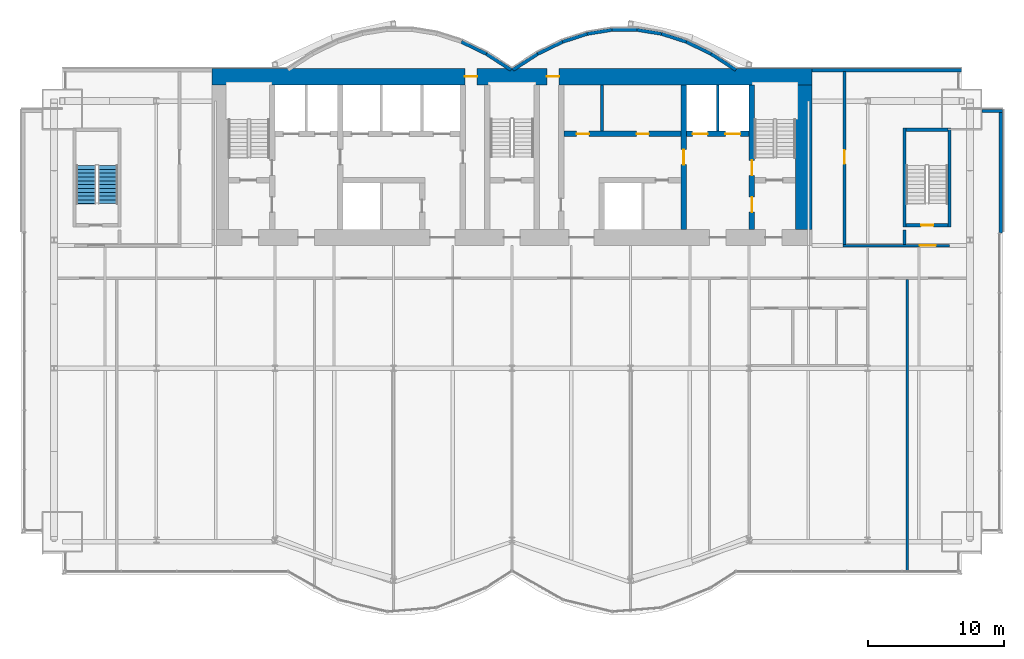
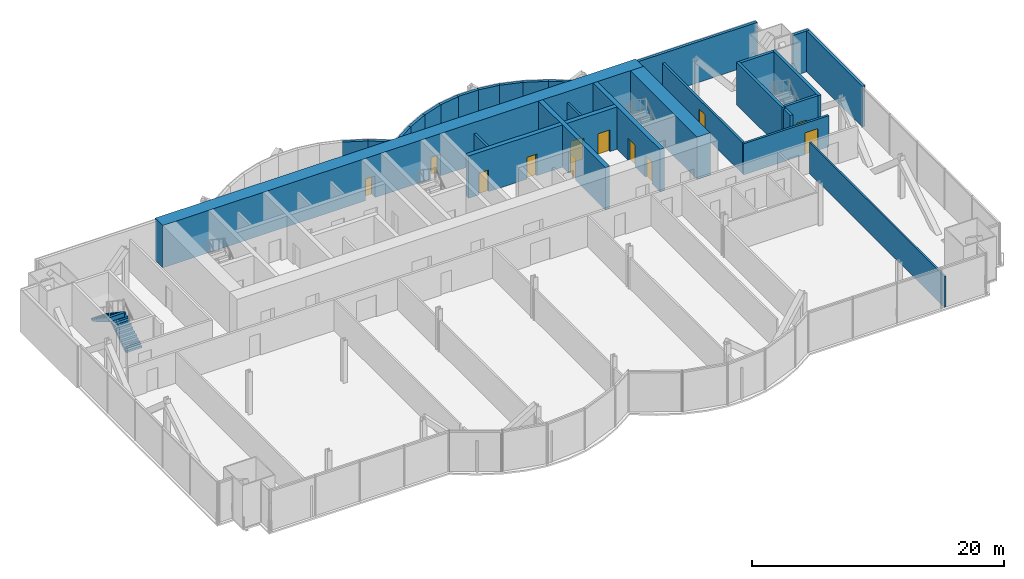
# One storey, part 17 of 21: 29 walls, 12 doors, 2 stair flights, 12 openings, 1 element without a shape of its own.
"""IFC4 building model written with IfcOpenShell, lengths in metres."""

from ifc_helpers import new_model, si_unit, direction, frame, frame_2d, origin, place, context, subcontext, project, spatial, polyline, rectangle, outline, extrude, material, layer, layer_set, layer_usage, type_object, element, fill, aggregate, save


model = new_model("IFC4")

# Units and contexts
model_context = context("Model", 3, precision=1e-05, world=origin(), true_north=direction((0.0, 1.0)))
body_context = subcontext(model_context, "Body", "Model", "MODEL_VIEW")
ifc_project = project(units=[si_unit("LENGTHUNIT", "METRE"), si_unit("AREAUNIT", "SQUARE_METRE"), si_unit("VOLUMEUNIT", "CUBIC_METRE"), si_unit("PLANEANGLEUNIT", "RADIAN"), si_unit("MASSUNIT", "GRAM", prefix="KILO")], contexts=[model_context])

# Site, building, storey
site_placement = place(None, origin())
site = spatial("IfcSite", under=ifc_project, at=site_placement, CompositionType="ELEMENT")
building_placement = place(site_placement, origin())
building = spatial("IfcBuilding", under=site, at=building_placement, Name="Bicima Exchange Tower", CompositionType="ELEMENT")
storey_placement = place(building_placement, frame((0.0, 0.0, 122.699951171875)))
storey = spatial("IfcBuildingStorey", under=building, at=storey_placement, Name="L26", CompositionType="ELEMENT", Elevation=122.699951171875)

# Wall
ifc_material_1 = material(Name="Gypsum board partition")
ifc_layer_1 = layer(ifc_material_1, 0.199951171875)
ifc_layer_set_1 = layer_set([ifc_layer_1], Name="Gypsum board partition")
wall_type_1 = type_object("IfcWallType", Name="Fire-rated gypsum partition 200 EI120", PredefinedType="PARTITIONING", material=ifc_layer_set_1)
wall_1_placement = place(storey_placement, frame((15.10009765625, -4.60009765625, 0.0), z_axis=(0.0, 0.0, 1.0), x_axis=(0.0, 1.0, 0.0)))
element("IfcWall", 1, at=wall_1_placement, inside=storey, type_object=wall_type_1, Name="partition wall 23", PredefinedType="PARTITIONING", context=body_context, shape_type="SweptSolid", body=[
    extrude(rectangle(XDim=3.400146484375, YDim=0.199951171875, at=frame_2d((1.7001953125, 0.0))), origin(), (0.0, 0.0, 1.0), 3.018310546875),
])

# Wall, opening, door
ifc_layer_2 = layer(ifc_material_1, 0.199951171875)
ifc_layer_set_2 = layer_set([ifc_layer_2], Name="Gypsum board partition")
wall_type_2 = type_object("IfcWallType", Name="Fire-rated gypsum partition 200 EI60", PredefinedType="PARTITIONING", material=ifc_layer_set_2)
wall_2_placement = place(storey_placement, frame((24.300048828125, -13.0, 0.0), z_axis=(0.0, 0.0, 1.0), x_axis=(1.0, 0.0, 0.0)))
wall_2 = element("IfcWall", 2, at=wall_2_placement, inside=storey, type_object=wall_type_2, Name="partition wall 5", PredefinedType="PARTITIONING", context=body_context, shape_type="SweptSolid", body=[
    extrude(rectangle(XDim=7.800048828125, YDim=0.199951171875, at=frame_2d((3.89990234375, 0.0))), origin(), (0.0, 0.0, 1.0), 3.018310546875),
])
opening_1_placement = place(wall_2_placement, frame((5.60009765625, 0.0, 0.0)))
opening_1 = element("IfcOpeningElement", 3, at=opening_1_placement, cuts=wall_2, Name="Opening L26-003", PredefinedType="OPENING", context=body_context, shape_type="SweptSolid", body=[
    extrude(rectangle(XDim=1.199951171875, YDim=2.10009765625, at=frame_2d((0.60009765625, 1.050048828125))), frame((0.0, 0.11181640625, 0.0), z_axis=(0.0, -1.0, 0.0), x_axis=(1.0, 0.0, 0.0)), (0.0, 0.0, 1.0), 0.223876953125),
])
ifc_material_2 = material(Name="Steel fire door leaf", Category="steel")
door_type_1 = type_object("IfcDoorType", Name="Door 1200 swing FD30S", OperationType="SINGLE_SWING_LEFT", PredefinedType="DOOR", material=ifc_material_2)
door_1_placement = place(opening_1_placement, origin())
door_1 = element("IfcDoor", 4, at=door_1_placement, inside=storey, type_object=door_type_1, Name="Door", OperationType="SINGLE_SWING_RIGHT", OverallHeight=2.10009765625, OverallWidth=1.199951171875, PredefinedType="DOOR", context=body_context, shape_type="SweptSolid", body=[
    extrude(rectangle(XDim=1.199951171875, YDim=2.10009765625, at=frame_2d((0.60009765625, 1.050048828125))), frame((0.0, 0.02490234375, 0.0), z_axis=(0.0, -1.0, 0.0), x_axis=(1.0, 0.0, 0.0)), (0.0, 0.0, 1.0), 0.050048828125),
])
fill(opening_1, door_1)

wall_3_placement = place(storey_placement, frame((24.39990234375, -12.89990234375, 0.0), z_axis=(0.0, 0.0, 1.0), x_axis=(0.0, 1.0, 0.0)))
wall_3 = element("IfcWall", 5, at=wall_3_placement, inside=storey, type_object=wall_type_2, Name="partition wall 27", PredefinedType="PARTITIONING", context=body_context, shape_type="SweptSolid", body=[
    extrude(rectangle(XDim=12.68994140625, YDim=0.199951171875, at=frame_2d((6.344970703125, 0.0))), origin(), (0.0, 0.0, 1.0), 3.018310546875),
])
opening_2_placement = place(wall_3_placement, frame((5.89990234375, 0.0, 0.0)))
opening_2 = element("IfcOpeningElement", 6, at=opening_2_placement, cuts=wall_3, Name="Opening L26-006", PredefinedType="OPENING", context=body_context, shape_type="SweptSolid", body=[
    extrude(rectangle(XDim=1.0, YDim=2.10009765625, at=frame_2d((0.5, 1.050048828125))), frame((0.0, 0.11181640625, 0.0), z_axis=(0.0, -1.0, 0.0), x_axis=(1.0, 0.0, 0.0)), (0.0, 0.0, 1.0), 0.223876953125),
])
door_type_2 = type_object("IfcDoorType", Name="Door 1000 swing FD30S", OperationType="SINGLE_SWING_LEFT", PredefinedType="DOOR", material=ifc_material_2)
door_2_placement = place(opening_2_placement, frame((1.0, 0.0, 0.0), z_axis=(0.0, 0.0, 1.0), x_axis=(-1.0, 0.0, 0.0)))
door_2 = element("IfcDoor", 7, at=door_2_placement, inside=storey, type_object=door_type_2, Name="Door", OperationType="SINGLE_SWING_RIGHT", OverallHeight=2.10009765625, OverallWidth=1.0, PredefinedType="DOOR", context=body_context, shape_type="SweptSolid", body=[
    extrude(rectangle(XDim=1.0, YDim=2.10009765625, at=frame_2d((0.5, 1.050048828125))), frame((0.0, 0.02490234375, 0.0), z_axis=(0.0, -1.0, 0.0), x_axis=(1.0, 0.0, 0.0)), (0.0, 0.0, 1.0), 0.050048828125),
])
fill(opening_2, door_2)

# Walls
wall_4_placement = place(storey_placement, frame((6.60009765625, -4.60009765625, 0.0), z_axis=(0.0, 0.0, 1.0), x_axis=(0.0, 1.0, 0.0)))
element("IfcWall", 8, at=wall_4_placement, inside=storey, type_object=wall_type_2, Name="partition wall 20", PredefinedType="PARTITIONING", context=body_context, shape_type="SweptSolid", body=[
    extrude(rectangle(XDim=3.400146484375, YDim=0.199951171875, at=frame_2d((1.7001953125, 0.0))), origin(), (0.0, 0.0, 1.0), 3.018310546875),
])
ifc_layer_3 = layer(ifc_material_1, 0.14990234375)
ifc_layer_set_3 = layer_set([ifc_layer_3], Name="Gypsum board partition")
wall_type_3 = type_object("IfcWallType", Name="Gypsum partition 150", PredefinedType="PARTITIONING", material=ifc_layer_set_3)
wall_5_placement = place(storey_placement, frame((29.0, -36.909912109375, 0.0), z_axis=(0.0, 0.0, 1.0), x_axis=(0.0, 1.0, 0.0)))
element("IfcWall", 9, at=wall_5_placement, inside=storey, type_object=wall_type_3, Name="partition wall 30", PredefinedType="PARTITIONING", context=body_context, shape_type="SweptSolid", body=[
    extrude(rectangle(XDim=21.409912109375, YDim=0.14990234375, at=frame_2d((10.705078125, 0.0))), origin(), (0.0, 0.0, 1.0), 3.018310546875),
])

# Wall, openings, doors
ifc_material_3 = material(Name="Concrete C60/75", Category="concrete")
ifc_layer_4 = layer(ifc_material_3, 1.199951171875)
ifc_layer_set_4 = layer_set([ifc_layer_4], Name="Concrete C60/75")
wall_type_4 = type_object("IfcWallType", Name="RC core wall 1200 C60/75", PredefinedType="SHEAR", material=ifc_layer_set_4)
wall_6_placement = place(storey_placement, frame((-22.0, -0.60009765625, 0.0), z_axis=(0.0, 0.0, 1.0), x_axis=(1.0, 0.0, 0.0)))
wall_6 = element("IfcWall", 10, at=wall_6_placement, inside=storey, type_object=wall_type_4, Name="Core wall north", PredefinedType="SHEAR", context=body_context, shape_type="SweptSolid", body=[
    extrude(rectangle(XDim=44.0, YDim=1.199951171875, at=frame_2d((22.0, 0.0))), origin(), (0.0, 0.0, 1.0), 4.10009765625),
])
opening_3_placement = place(wall_6_placement, frame((18.550048828125, 0.0, 0.0)))
opening_3 = element("IfcOpeningElement", 11, at=opening_3_placement, cuts=wall_6, Name="Opening L26-C16", PredefinedType="OPENING", context=body_context, shape_type="SweptSolid", body=[
    extrude(rectangle(XDim=0.89990234375, YDim=2.10009765625, at=frame_2d((0.449951171875, 1.050048828125))), frame((0.0, 0.61181640625, 0.0), z_axis=(0.0, -1.0, 0.0), x_axis=(1.0, 0.0, 0.0)), (0.0, 0.0, 1.0), 1.223876953125),
])
opening_4_placement = place(wall_6_placement, frame((24.550048828125, 0.0, 0.0)))
opening_4 = element("IfcOpeningElement", 12, at=opening_4_placement, cuts=wall_6, Name="Opening L26-C17", PredefinedType="OPENING", context=body_context, shape_type="SweptSolid", body=[
    extrude(rectangle(XDim=0.89990234375, YDim=2.10009765625, at=frame_2d((0.449951171875, 1.050048828125))), frame((0.0, 0.61181640625, 0.0), z_axis=(0.0, -1.0, 0.0), x_axis=(1.0, 0.0, 0.0)), (0.0, 0.0, 1.0), 1.223876953125),
])
door_type_3 = type_object("IfcDoorType", Name="Door 900 swing FD30S", OperationType="SINGLE_SWING_LEFT", PredefinedType="DOOR", material=ifc_material_2)
door_3_placement = place(opening_3_placement, origin())
door_3 = element("IfcDoor", 13, at=door_3_placement, inside=storey, type_object=door_type_3, Name="Core door", OperationType="SINGLE_SWING_LEFT", OverallHeight=2.10009765625, OverallWidth=0.89990234375, PredefinedType="DOOR", context=body_context, shape_type="SweptSolid", body=[
    extrude(rectangle(XDim=0.89990234375, YDim=2.10009765625, at=frame_2d((0.449951171875, 1.050048828125))), frame((0.0, 0.02490234375, 0.0), z_axis=(0.0, -1.0, 0.0), x_axis=(1.0, 0.0, 0.0)), (0.0, 0.0, 1.0), 0.050048828125),
])
fill(opening_3, door_3)
door_4_placement = place(opening_4_placement, origin())
door_4 = element("IfcDoor", 14, at=door_4_placement, inside=storey, type_object=door_type_3, Name="Core door", OperationType="SINGLE_SWING_LEFT", OverallHeight=2.10009765625, OverallWidth=0.89990234375, PredefinedType="DOOR", context=body_context, shape_type="SweptSolid", body=[
    extrude(rectangle(XDim=0.89990234375, YDim=2.10009765625, at=frame_2d((0.449951171875, 1.050048828125))), frame((0.0, 0.02490234375, 0.0), z_axis=(0.0, -1.0, 0.0), x_axis=(1.0, 0.0, 0.0)), (0.0, 0.0, 1.0), 0.050048828125),
])
fill(opening_4, door_4)

# Walls
wall_7_placement = place(storey_placement, frame((21.39990234375, -11.800048828125, 0.0), z_axis=(0.0, 0.0, 1.0), x_axis=(0.0, 1.0, 0.0)))
element("IfcWall", 15, at=wall_7_placement, inside=storey, type_object=wall_type_4, Name="Core wall east", PredefinedType="SHEAR", context=body_context, shape_type="SweptSolid", body=[
    extrude(rectangle(XDim=10.60009765625, YDim=1.199951171875, at=frame_2d((5.300048828125, 0.0))), origin(), (0.0, 0.0, 1.0), 4.10009765625),
])
ifc_material_4 = material(Name="Concrete C50/60", Category="concrete")
ifc_layer_5 = layer(ifc_material_4, 0.25)
ifc_layer_set_5 = layer_set([ifc_layer_5], Name="Concrete C50/60")
wall_type_5 = type_object("IfcWallType", Name="RC core wall 250 C50/60", PredefinedType="SHEAR", material=ifc_layer_set_5)
wall_8_placement = place(storey_placement, frame((28.800048828125, -12.89990234375, 0.0), z_axis=(0.0, 0.0, 1.0), x_axis=(0.0, 1.0, 0.0)))
element("IfcWall", 16, at=wall_8_placement, inside=storey, type_object=wall_type_5, Name="stair wall 29", PredefinedType="SHEAR", context=body_context, shape_type="SweptSolid", body=[
    extrude(rectangle(XDim=1.0498046875, YDim=0.25, at=frame_2d((0.52490234375, 0.0))), origin(), (0.0, 0.0, 1.0), 4.10009765625),
])

# Wall, openings, doors
ifc_layer_6 = layer(ifc_material_4, 0.39990234375)
ifc_layer_set_6 = layer_set([ifc_layer_6], Name="Concrete C50/60")
wall_type_6 = type_object("IfcWallType", Name="RC core wall 400 C50/60", PredefinedType="SHEAR", material=ifc_layer_set_6)
wall_9_placement = place(storey_placement, frame((17.60009765625, -11.800048828125, 0.0), z_axis=(0.0, 0.0, 1.0), x_axis=(0.0, 1.0, 0.0)))
wall_9 = element("IfcWall", 17, at=wall_9_placement, inside=storey, type_object=wall_type_6, Name="stair wall 24", PredefinedType="SHEAR", context=body_context, shape_type="SweptSolid", body=[
    extrude(rectangle(XDim=10.60009765625, YDim=0.39990234375, at=frame_2d((5.300048828125, 0.0))), origin(), (0.0, 0.0, 1.0), 4.10009765625),
])
opening_5_placement = place(wall_9_placement, frame((1.25, 0.0, 0.0)))
opening_5 = element("IfcOpeningElement", 18, at=opening_5_placement, cuts=wall_9, Name="Opening L26-C05", PredefinedType="OPENING", context=body_context, shape_type="SweptSolid", body=[
    extrude(rectangle(XDim=1.10009765625, YDim=2.10009765625, at=frame_2d((0.550048828125, 1.050048828125))), frame((0.0, 0.2119140625, 0.0), z_axis=(0.0, -1.0, 0.0), x_axis=(1.0, 0.0, 0.0)), (0.0, 0.0, 1.0), 0.423828125),
])
opening_6_placement = place(wall_9_placement, frame((3.949951171875, 0.0, 0.0)))
opening_6 = element("IfcOpeningElement", 19, at=opening_6_placement, cuts=wall_9, Name="Opening L26-C08", PredefinedType="OPENING", context=body_context, shape_type="SweptSolid", body=[
    extrude(rectangle(XDim=1.10009765625, YDim=2.10009765625, at=frame_2d((0.550048828125, 1.050048828125))), frame((0.0, 0.2119140625, 0.0), z_axis=(0.0, -1.0, 0.0), x_axis=(1.0, 0.0, 0.0)), (0.0, 0.0, 1.0), 0.423828125),
])
door_type_4 = type_object("IfcDoorType", Name="Door 1100 swing FD60S", OperationType="SINGLE_SWING_LEFT", PredefinedType="DOOR", material=ifc_material_2)
door_5_placement = place(opening_5_placement, origin())
door_5 = element("IfcDoor", 20, at=door_5_placement, inside=storey, type_object=door_type_4, Name="Core door", OperationType="SINGLE_SWING_LEFT", OverallHeight=2.10009765625, OverallWidth=1.10009765625, PredefinedType="DOOR", context=body_context, shape_type="SweptSolid", body=[
    extrude(rectangle(XDim=1.10009765625, YDim=2.10009765625, at=frame_2d((0.550048828125, 1.050048828125))), frame((0.0, 0.02490234375, 0.0), z_axis=(0.0, -1.0, 0.0), x_axis=(1.0, 0.0, 0.0)), (0.0, 0.0, 1.0), 0.050048828125),
])
fill(opening_5, door_5)
door_6_placement = place(opening_6_placement, origin())
door_6 = element("IfcDoor", 21, at=door_6_placement, inside=storey, type_object=door_type_4, Name="Core door", OperationType="SINGLE_SWING_RIGHT", OverallHeight=2.10009765625, OverallWidth=1.10009765625, PredefinedType="DOOR", context=body_context, shape_type="SweptSolid", body=[
    extrude(rectangle(XDim=1.10009765625, YDim=2.10009765625, at=frame_2d((0.550048828125, 1.050048828125))), frame((0.0, 0.02490234375, 0.0), z_axis=(0.0, -1.0, 0.0), x_axis=(1.0, 0.0, 0.0)), (0.0, 0.0, 1.0), 0.050048828125),
])
fill(opening_6, door_6)

ifc_layer_7 = layer(ifc_material_3, 0.39990234375)
ifc_layer_set_7 = layer_set([ifc_layer_7], Name="Concrete C60/75")
wall_type_7 = type_object("IfcWallType", Name="RC core wall 400 C60/75", PredefinedType="SHEAR", material=ifc_layer_set_7)
wall_10_placement = place(storey_placement, frame((3.800048828125, -4.800048828125, 0.0), z_axis=(0.0, 0.0, 1.0), x_axis=(1.0, 0.0, 0.0)))
wall_10 = element("IfcWall", 22, at=wall_10_placement, inside=storey, type_object=wall_type_7, Name="shear wall 7", PredefinedType="SHEAR", context=body_context, shape_type="SweptSolid", body=[
    extrude(rectangle(XDim=13.599853515625, YDim=0.39990234375, at=frame_2d((6.7998046875, 0.0))), origin(), (0.0, 0.0, 1.0), 4.10009765625),
])
opening_7_placement = place(wall_10_placement, frame((9.449951171875, 0.0, 0.0)))
opening_7 = element("IfcOpeningElement", 23, at=opening_7_placement, cuts=wall_10, Name="Opening LD-FF2-L26", PredefinedType="OPENING", context=body_context, shape_type="SweptSolid", body=[
    extrude(rectangle(XDim=1.10009765625, YDim=2.10009765625, at=frame_2d((0.550048828125, 1.050048828125))), frame((0.0, 0.2119140625, 0.0), z_axis=(0.0, -1.0, 0.0), x_axis=(1.0, 0.0, 0.0)), (0.0, 0.0, 1.0), 0.423828125),
])
opening_8_placement = place(wall_10_placement, frame((11.85009765625, 0.0, 0.0)))
opening_8 = element("IfcOpeningElement", 24, at=opening_8_placement, cuts=wall_10, Name="Opening LD-SV1-L26", PredefinedType="OPENING", context=body_context, shape_type="SweptSolid", body=[
    extrude(rectangle(XDim=1.10009765625, YDim=2.10009765625, at=frame_2d((0.550048828125, 1.050048828125))), frame((0.0, 0.2119140625, 0.0), z_axis=(0.0, -1.0, 0.0), x_axis=(1.0, 0.0, 0.0)), (0.0, 0.0, 1.0), 0.423828125),
])
opening_9_placement = place(wall_10_placement, frame((0.949951171875, 0.0, 0.0)))
opening_9 = element("IfcOpeningElement", 25, at=opening_9_placement, cuts=wall_10, Name="Opening L26-C12", PredefinedType="OPENING", context=body_context, shape_type="SweptSolid", body=[
    extrude(rectangle(XDim=0.89990234375, YDim=2.10009765625, at=frame_2d((0.449951171875, 1.050048828125))), frame((0.0, 0.2119140625, 0.0), z_axis=(0.0, -1.0, 0.0), x_axis=(1.0, 0.0, 0.0)), (0.0, 0.0, 1.0), 0.423828125),
])
opening_10_placement = place(wall_10_placement, frame((5.35009765625, 0.0, 0.0)))
opening_10 = element("IfcOpeningElement", 26, at=opening_10_placement, cuts=wall_10, Name="Opening L26-C13", PredefinedType="OPENING", context=body_context, shape_type="SweptSolid", body=[
    extrude(rectangle(XDim=0.89990234375, YDim=2.10009765625, at=frame_2d((0.449951171875, 1.050048828125))), frame((0.0, 0.2119140625, 0.0), z_axis=(0.0, -1.0, 0.0), x_axis=(1.0, 0.0, 0.0)), (0.0, 0.0, 1.0), 0.423828125),
])
door_7_placement = place(opening_9_placement, origin())
door_7 = element("IfcDoor", 27, at=door_7_placement, inside=storey, type_object=door_type_3, Name="Core door", OperationType="SINGLE_SWING_RIGHT", OverallHeight=2.10009765625, OverallWidth=0.89990234375, PredefinedType="DOOR", context=body_context, shape_type="SweptSolid", body=[
    extrude(rectangle(XDim=0.89990234375, YDim=2.10009765625, at=frame_2d((0.449951171875, 1.050048828125))), frame((0.0, 0.02490234375, 0.0), z_axis=(0.0, -1.0, 0.0), x_axis=(1.0, 0.0, 0.0)), (0.0, 0.0, 1.0), 0.050048828125),
])
fill(opening_9, door_7)
door_8_placement = place(opening_10_placement, origin())
door_8 = element("IfcDoor", 28, at=door_8_placement, inside=storey, type_object=door_type_3, Name="Core door", OperationType="SINGLE_SWING_LEFT", OverallHeight=2.10009765625, OverallWidth=0.89990234375, PredefinedType="DOOR", context=body_context, shape_type="SweptSolid", body=[
    extrude(rectangle(XDim=0.89990234375, YDim=2.10009765625, at=frame_2d((0.449951171875, 1.050048828125))), frame((0.0, 0.02490234375, 0.0), z_axis=(0.0, -1.0, 0.0), x_axis=(1.0, 0.0, 0.0)), (0.0, 0.0, 1.0), 0.050048828125),
])
fill(opening_10, door_8)
ifc_material_5 = material(Name="Stainless steel", Category="steel")
door_type_5 = type_object("IfcDoorType", Name="Lift landing door 1100 sliding", OperationType="DOUBLE_DOOR_SLIDING", PredefinedType="DOOR", material=ifc_material_5)
door_9_placement = place(opening_7_placement, origin())
door_9 = element("IfcDoor", 29, at=door_9_placement, inside=storey, type_object=door_type_5, Name="Lift landing door FF2", OperationType="DOUBLE_DOOR_SLIDING", OverallHeight=2.10009765625, OverallWidth=1.10009765625, PredefinedType="DOOR", context=body_context, shape_type="SweptSolid", body=[
    extrude(rectangle(XDim=1.10009765625, YDim=2.10009765625, at=frame_2d((0.550048828125, 1.050048828125))), frame((0.0, 0.02490234375, 0.0), z_axis=(0.0, -1.0, 0.0), x_axis=(1.0, 0.0, 0.0)), (0.0, 0.0, 1.0), 0.050048828125),
])
fill(opening_7, door_9)
door_10_placement = place(opening_8_placement, origin())
door_10 = element("IfcDoor", 30, at=door_10_placement, inside=storey, type_object=door_type_5, Name="Lift landing door SV1", OperationType="DOUBLE_DOOR_SLIDING", OverallHeight=2.10009765625, OverallWidth=1.10009765625, PredefinedType="DOOR", context=body_context, shape_type="SweptSolid", body=[
    extrude(rectangle(XDim=1.10009765625, YDim=2.10009765625, at=frame_2d((0.550048828125, 1.050048828125))), frame((0.0, 0.02490234375, 0.0), z_axis=(0.0, -1.0, 0.0), x_axis=(1.0, 0.0, 0.0)), (0.0, 0.0, 1.0), 0.050048828125),
])
fill(opening_8, door_10)

# Wall, opening, door
wall_11_placement = place(storey_placement, frame((12.60009765625, -11.800048828125, 0.0), z_axis=(0.0, 0.0, 1.0), x_axis=(0.0, 1.0, 0.0)))
wall_11 = element("IfcWall", 31, at=wall_11_placement, inside=storey, type_object=wall_type_7, Name="shear wall 22", PredefinedType="SHEAR", context=body_context, shape_type="SweptSolid", body=[
    extrude(rectangle(XDim=10.60009765625, YDim=0.39990234375, at=frame_2d((5.300048828125, 0.0))), origin(), (0.0, 0.0, 1.0), 4.10009765625),
])
opening_11_placement = place(wall_11_placement, frame((4.75, 0.0, 0.0)))
opening_11 = element("IfcOpeningElement", 32, at=opening_11_placement, cuts=wall_11, Name="Opening L26-C09", PredefinedType="OPENING", context=body_context, shape_type="SweptSolid", body=[
    extrude(rectangle(XDim=1.10009765625, YDim=2.10009765625, at=frame_2d((0.550048828125, 1.050048828125))), frame((0.0, 0.2119140625, 0.0), z_axis=(0.0, -1.0, 0.0), x_axis=(1.0, 0.0, 0.0)), (0.0, 0.0, 1.0), 0.423828125),
])
door_11_placement = place(opening_11_placement, frame((1.10009765625, 0.0, 0.0), z_axis=(0.0, 0.0, 1.0), x_axis=(-1.0, 0.0, 0.0)))
door_11 = element("IfcDoor", 33, at=door_11_placement, inside=storey, type_object=door_type_4, Name="Core door", OperationType="SINGLE_SWING_RIGHT", OverallHeight=2.10009765625, OverallWidth=1.10009765625, PredefinedType="DOOR", context=body_context, shape_type="SweptSolid", body=[
    extrude(rectangle(XDim=1.10009765625, YDim=2.10009765625, at=frame_2d((0.550048828125, 1.050048828125))), frame((0.0, 0.02490234375, 0.0), z_axis=(0.0, -1.0, 0.0), x_axis=(1.0, 0.0, 0.0)), (0.0, 0.0, 1.0), 0.050048828125),
])
fill(opening_11, door_11)

# Walls
ifc_layer_8 = layer(ifc_material_4, 0.25)
ifc_layer_set_8 = layer_set([ifc_layer_8], Name="Concrete C50/60")
wall_type_8 = type_object("IfcWallType", Name="RC stair enclosure wall 250 C50/60", PredefinedType="SHEAR", material=ifc_layer_set_8)
for number, where, z_axis, x_axis, name in (
    (34, (28.800048828125, -11.625, 0.0), (0.0, 0.0, 1.0), (0.0, 1.0, 0.0), "East end exit stair wall W"),
    (35, (32.10009765625, -11.625, 0.0), (0.0, 0.0, 1.0), (0.0, 1.0, 0.0), "East end exit stair wall E"),
):
    element("IfcWall", number, at=place(storey_placement, frame(where, z_axis=z_axis, x_axis=x_axis)), inside=storey, type_object=wall_type_8, Name=name, PredefinedType="SHEAR", context=body_context, shape_type="SweptSolid", body=[
        extrude(rectangle(XDim=7.25, YDim=0.25, at=frame_2d((3.625, 0.0))), origin(), (0.0, 0.0, 1.0), 4.10009765625),
    ])

# Wall, opening, door
wall_12_placement = place(storey_placement, frame((28.925048828125, -11.5, 0.0), z_axis=(0.0, 0.0, 1.0), x_axis=(1.0, 0.0, 0.0)))
wall_12 = element("IfcWall", 36, at=wall_12_placement, inside=storey, type_object=wall_type_8, Name="East end exit stair wall S", PredefinedType="SHEAR", context=body_context, shape_type="SweptSolid", body=[
    extrude(rectangle(XDim=3.050048828125, YDim=0.25, at=frame_2d((1.52490234375, 0.0))), origin(), (0.0, 0.0, 1.0), 4.10009765625),
])
opening_12_placement = place(wall_12_placement, frame((1.10009765625, 0.0, 0.0)))
opening_12 = element("IfcOpeningElement", 37, at=opening_12_placement, cuts=wall_12, Name="Opening L26-004", PredefinedType="OPENING", context=body_context, shape_type="SweptSolid", body=[
    extrude(rectangle(XDim=0.89990234375, YDim=2.10009765625, at=frame_2d((0.449951171875, 1.050048828125))), frame((0.0, 0.136962890625, 0.0), z_axis=(0.0, -1.0, 0.0), x_axis=(1.0, 0.0, 0.0)), (0.0, 0.0, 1.0), 0.27392578125),
])
door_type_6 = type_object("IfcDoorType", Name="Door 900 swing FD60S", OperationType="SINGLE_SWING_LEFT", PredefinedType="DOOR", material=ifc_material_2)
door_12_placement = place(opening_12_placement, origin())
door_12 = element("IfcDoor", 38, at=door_12_placement, inside=storey, type_object=door_type_6, Name="Door", OperationType="SINGLE_SWING_LEFT", OverallHeight=2.10009765625, OverallWidth=0.89990234375, PredefinedType="DOOR", context=body_context, shape_type="SweptSolid", body=[
    extrude(rectangle(XDim=0.89990234375, YDim=2.10009765625, at=frame_2d((0.449951171875, 1.050048828125))), frame((0.0, 0.02490234375, 0.0), z_axis=(0.0, -1.0, 0.0), x_axis=(1.0, 0.0, 0.0)), (0.0, 0.0, 1.0), 0.050048828125),
])
fill(opening_12, door_12)

# Walls
wall_13_placement = place(storey_placement, frame((28.925048828125, -4.5, 0.0), z_axis=(0.0, 0.0, 1.0), x_axis=(1.0, 0.0, 0.0)))
element("IfcWall", 39, at=wall_13_placement, inside=storey, type_object=wall_type_8, Name="East end exit stair wall N", PredefinedType="SHEAR", context=body_context, shape_type="SweptSolid", body=[
    extrude(rectangle(XDim=3.050048828125, YDim=0.25, at=frame_2d((1.52490234375, 0.0))), origin(), (0.0, 0.0, 1.0), 4.10009765625),
])
ifc_material_6 = material(Name="Concrete C40/50", Category="concrete")
ifc_layer_9 = layer(ifc_material_6, 0.25)
ifc_layer_set_9 = layer_set([ifc_layer_9], Name="Concrete C40/50")
ifc_layer_usage = layer_usage(ifc_layer_set_9, "AXIS2", "POSITIVE", -0.125)
wall_type_9 = type_object("IfcWallType", Name="Rear backup wall 250", PredefinedType="STANDARD", material=ifc_layer_set_9)
wall_14_placement = place(storey_placement, frame((33.0, -0.125, 0.0), z_axis=(0.0, 0.0, 1.0), x_axis=(-1.0, 0.0, 0.0)))
element("IfcWall", 40, at=wall_14_placement, inside=storey, type_object=wall_type_9, material=ifc_layer_usage, Name="Rear backup wall L26 1", PredefinedType="STANDARD", context=body_context, shape_type="SweptSolid", body=[
    extrude(rectangle(XDim=11.0, YDim=0.25, at=frame_2d((5.5, 0.0))), origin(), (0.0, 0.0, 1.0), 3.949951171875),
])
wall_15_placement = place(storey_placement, frame((16.43212890625, -0.10498046875, 0.0), z_axis=(0.0, 0.0, 1.0), x_axis=(-0.83981312244, 0.542875602121, 0.0)))
element("IfcWall", 41, at=wall_15_placement, inside=storey, type_object=wall_type_9, material=ifc_layer_usage, Name="Rear backup wall L26 2", PredefinedType="STANDARD", context=body_context, shape_type="SweptSolid", body=[
    extrude(rectangle(XDim=2.182861328125, YDim=0.25, at=frame_2d((1.09130859375, 0.0))), origin(), (0.0, 0.0, 1.0), 3.949951171875),
])
wall_16_placement = place(storey_placement, frame((14.6123046875, 1.07275390625, 0.0), z_axis=(0.0, 0.0, 1.0), x_axis=(-0.89982408427, 0.436252928206, 0.0)))
element("IfcWall", 42, at=wall_16_placement, inside=storey, type_object=wall_type_9, material=ifc_layer_usage, Name="Rear backup wall L26 3", PredefinedType="STANDARD", context=body_context, shape_type="SweptSolid", body=[
    extrude(rectangle(XDim=2.03759765625, YDim=0.25, at=frame_2d((1.018798828125, 0.0))), origin(), (0.0, 0.0, 1.0), 3.949951171875),
])
wall_17_placement = place(storey_placement, frame((12.794921875, 1.955078125, 0.0), z_axis=(0.0, 0.0, 1.0), x_axis=(-0.951495806175, 0.307661714928, 0.0)))
element("IfcWall", 43, at=wall_17_placement, inside=storey, type_object=wall_type_9, material=ifc_layer_usage, Name="Rear backup wall L26 4", PredefinedType="STANDARD", context=body_context, shape_type="SweptSolid", body=[
    extrude(rectangle(XDim=1.9267578125, YDim=0.25, at=frame_2d((0.96337890625, 0.0))), origin(), (0.0, 0.0, 1.0), 3.949951171875),
])
wall_18_placement = place(storey_placement, frame((10.97998046875, 2.543212890625, 0.0), z_axis=(0.0, 0.0, 1.0), x_axis=(-0.987181718931, 0.159600293885, 0.0)))
element("IfcWall", 44, at=wall_18_placement, inside=storey, type_object=wall_type_9, material=ifc_layer_usage, Name="Rear backup wall L26 5", PredefinedType="STANDARD", context=body_context, shape_type="SweptSolid", body=[
    extrude(rectangle(XDim=1.857177734375, YDim=0.25, at=frame_2d((0.9287109375, 0.0))), origin(), (0.0, 0.0, 1.0), 3.949951171875),
])
wall_19_placement = place(storey_placement, frame((9.166748046875, 2.837890625, 0.0), z_axis=(0.0, 0.0, 1.0), x_axis=(-1.0, 0.0, 0.0)))
element("IfcWall", 45, at=wall_19_placement, inside=storey, type_object=wall_type_9, material=ifc_layer_usage, Name="Rear backup wall L26 6", PredefinedType="STANDARD", context=body_context, shape_type="SweptSolid", body=[
    extrude(rectangle(XDim=1.83349609375, YDim=0.25, at=frame_2d((0.916748046875, 0.0))), origin(), (0.0, 0.0, 1.0), 3.949951171875),
])
wall_20_placement = place(storey_placement, frame((7.353271484375, 2.839599609375, 0.0), z_axis=(0.0, 0.0, 1.0), x_axis=(-0.987181718931, -0.159600293885, 0.0)))
element("IfcWall", 46, at=wall_20_placement, inside=storey, type_object=wall_type_9, material=ifc_layer_usage, Name="Rear backup wall L26 7", PredefinedType="STANDARD", context=body_context, shape_type="SweptSolid", body=[
    extrude(rectangle(XDim=1.857177734375, YDim=0.25, at=frame_2d((0.9287109375, 0.0))), origin(), (0.0, 0.0, 1.0), 3.949951171875),
])
wall_21_placement = place(storey_placement, frame((5.538330078125, 2.5478515625, 0.0), z_axis=(0.0, 0.0, 1.0), x_axis=(-0.951495806175, -0.307661714928, 0.0)))
element("IfcWall", 47, at=wall_21_placement, inside=storey, type_object=wall_type_9, material=ifc_layer_usage, Name="Rear backup wall L26 8", PredefinedType="STANDARD", context=body_context, shape_type="SweptSolid", body=[
    extrude(rectangle(XDim=1.9267578125, YDim=0.25, at=frame_2d((0.96337890625, 0.0))), origin(), (0.0, 0.0, 1.0), 3.949951171875),
])
wall_22_placement = place(storey_placement, frame((3.72119140625, 1.961669921875, 0.0), z_axis=(0.0, 0.0, 1.0), x_axis=(-0.89982408427, -0.436252928206, 0.0)))
element("IfcWall", 48, at=wall_22_placement, inside=storey, type_object=wall_type_9, material=ifc_layer_usage, Name="Rear backup wall L26 9", PredefinedType="STANDARD", context=body_context, shape_type="SweptSolid", body=[
    extrude(rectangle(XDim=2.03759765625, YDim=0.25, at=frame_2d((1.018798828125, 0.0))), origin(), (0.0, 0.0, 1.0), 3.949951171875),
])
for number, where, z_axis, x_axis, name in (
    (49, (1.901123046875, 1.080078125, 0.0), (0.0, 0.0, 1.0), (-0.83981312244, -0.542875602121, 0.0), "Rear backup wall L26 10"),
    (50, (-0.06787109375, -0.10498046875, 0.0), (0.0, 0.0, 1.0), (-0.83981312244, 0.542875602121, 0.0), "Rear backup wall L26 11"),
):
    element("IfcWall", number, at=place(storey_placement, frame(where, z_axis=z_axis, x_axis=x_axis)), inside=storey, type_object=wall_type_9, material=ifc_layer_usage, Name=name, PredefinedType="STANDARD", context=body_context, shape_type="SweptSolid", body=[
        extrude(rectangle(XDim=2.182861328125, YDim=0.25, at=frame_2d((1.09130859375, 0.0))), origin(), (0.0, 0.0, 1.0), 3.949951171875),
    ])
wall_23_placement = place(storey_placement, frame((-1.8876953125, 1.07275390625, 0.0), z_axis=(0.0, 0.0, 1.0), x_axis=(-0.89982408427, 0.436252928206, 0.0)))
element("IfcWall", 51, at=wall_23_placement, inside=storey, type_object=wall_type_9, material=ifc_layer_usage, Name="Rear backup wall L26 12", PredefinedType="STANDARD", context=body_context, shape_type="SweptSolid", body=[
    extrude(rectangle(XDim=2.03759765625, YDim=0.25, at=frame_2d((1.018798828125, 0.0))), origin(), (0.0, 0.0, 1.0), 3.949951171875),
])
wall_24_placement = place(storey_placement, frame((35.875, -12.090087890625, 0.0), z_axis=(0.0, 0.0, 1.0), x_axis=(0.0, 1.0, 0.0)))
element("IfcWall", 52, at=wall_24_placement, inside=storey, type_object=wall_type_9, material=ifc_layer_usage, Name="Rear backup wall L26 50", PredefinedType="STANDARD", context=body_context, shape_type="SweptSolid", body=[
    extrude(rectangle(XDim=9.090087890625, YDim=0.25, at=frame_2d((4.544921875, 0.0))), origin(), (0.0, 0.0, 1.0), 3.949951171875),
])
wall_25_placement = place(storey_placement, frame((36.0, -3.125, 0.0), z_axis=(0.0, 0.0, 1.0), x_axis=(-1.0, 0.0, 0.0)))
element("IfcWall", 53, at=wall_25_placement, inside=storey, type_object=wall_type_9, material=ifc_layer_usage, Name="Rear backup wall L26 51", PredefinedType="STANDARD", context=body_context, shape_type="SweptSolid", body=[
    extrude(rectangle(XDim=1.5, YDim=0.25, at=frame_2d((0.75, 0.0))), origin(), (0.0, 0.0, 1.0), 3.949951171875),
])

# Stair, stair flights
stair_type = type_object("IfcStairType", Name="Exit stair", PredefinedType="HALF_TURN_STAIR", material=ifc_material_4)
stair_placement = place(storey_placement, origin())
stair = element("IfcStair", 54, at=stair_placement, inside=storey, type_object=stair_type, Name="L26 West end exit stair", PredefinedType="HALF_TURN_STAIR")
stair_flight_type = type_object("IfcStairFlightType", Name="Stair flight RC", PredefinedType="STRAIGHT", material=ifc_material_4)
stair_flight_1_placement = place(storey_placement, frame((-29.64990234375, -9.925048828125, 0.0), z_axis=(0.0, 0.0, 1.0), x_axis=(0.0, 1.0, 0.0)))
stair_flight_1 = element("IfcStairFlight", 55, at=stair_flight_1_placement, type_object=stair_flight_type, Name="ST-WW flight 1", NumberOfRisers=11, NumberOfTreads=10, PredefinedType="STRAIGHT", RiserHeight=0.186363636, TreadLength=0.28, context=body_context, shape_type="SweptSolid", body=[
    extrude(outline(polyline([(0.0, 0.0), (0.0, 0.186279296875), (0.280029296875, 0.186279296875), (0.280029296875, 0.372802734375), (0.56005859375, 0.372802734375), (0.56005859375, 0.55908203125), (0.840087890625, 0.55908203125), (0.840087890625, 0.745361328125), (1.1201171875, 0.745361328125), (1.1201171875, 0.931884765625), (1.39990234375, 0.931884765625), (1.39990234375, 1.1181640625), (1.679931640625, 1.1181640625), (1.679931640625, 1.304443359375), (1.9599609375, 1.304443359375), (1.9599609375, 1.490966796875), (2.239990234375, 1.490966796875), (2.239990234375, 1.67724609375), (2.52001953125, 1.67724609375), (2.52001953125, 1.863525390625), (2.800048828125, 1.863525390625), (2.800048828125, 2.050048828125), (2.800048828125, 1.68359375), (0.2705078125, 0.0), (0.0, 0.0)])), frame((0.0, 0.72509765625, 0.0), z_axis=(0.0, -1.0, 0.0), x_axis=(1.0, 0.0, 0.0)), (0.0, 0.0, 1.0), 1.449951171875),
])
stair_flight_2_placement = place(storey_placement, frame((-31.25, -7.125, 2.050048828125), z_axis=(0.0, 0.0, 1.0), x_axis=(0.0, -1.0, 0.0)))
stair_flight_2 = element("IfcStairFlight", 56, at=stair_flight_2_placement, type_object=stair_flight_type, Name="ST-WW flight 2", NumberOfRisers=11, NumberOfTreads=10, PredefinedType="STRAIGHT", RiserHeight=0.186363636, TreadLength=0.28, context=body_context, shape_type="SweptSolid", body=[
    extrude(outline(polyline([(0.0, 0.0), (0.0, 0.186279296875), (0.280029296875, 0.186279296875), (0.280029296875, 0.372802734375), (0.56005859375, 0.372802734375), (0.56005859375, 0.55908203125), (0.840087890625, 0.55908203125), (0.840087890625, 0.745361328125), (1.1201171875, 0.745361328125), (1.1201171875, 0.931884765625), (1.39990234375, 0.931884765625), (1.39990234375, 1.1181640625), (1.679931640625, 1.1181640625), (1.679931640625, 1.304443359375), (1.9599609375, 1.304443359375), (1.9599609375, 1.490966796875), (2.239990234375, 1.490966796875), (2.239990234375, 1.67724609375), (2.52001953125, 1.67724609375), (2.52001953125, 1.863525390625), (2.800048828125, 1.863525390625), (2.800048828125, 1.904052734375), (2.81494140625, 1.904052734375), (2.81494140625, 1.507080078125), (0.2705078125, 0.0), (0.0, 0.0)])), frame((0.0, 0.72509765625, 0.0), z_axis=(0.0, -1.0, 0.0), x_axis=(1.0, 0.0, 0.0)), (0.0, 0.0, 1.0), 1.449951171875),
])
aggregate(stair, [stair_flight_1, stair_flight_2])

save(model, "model.ifc")
